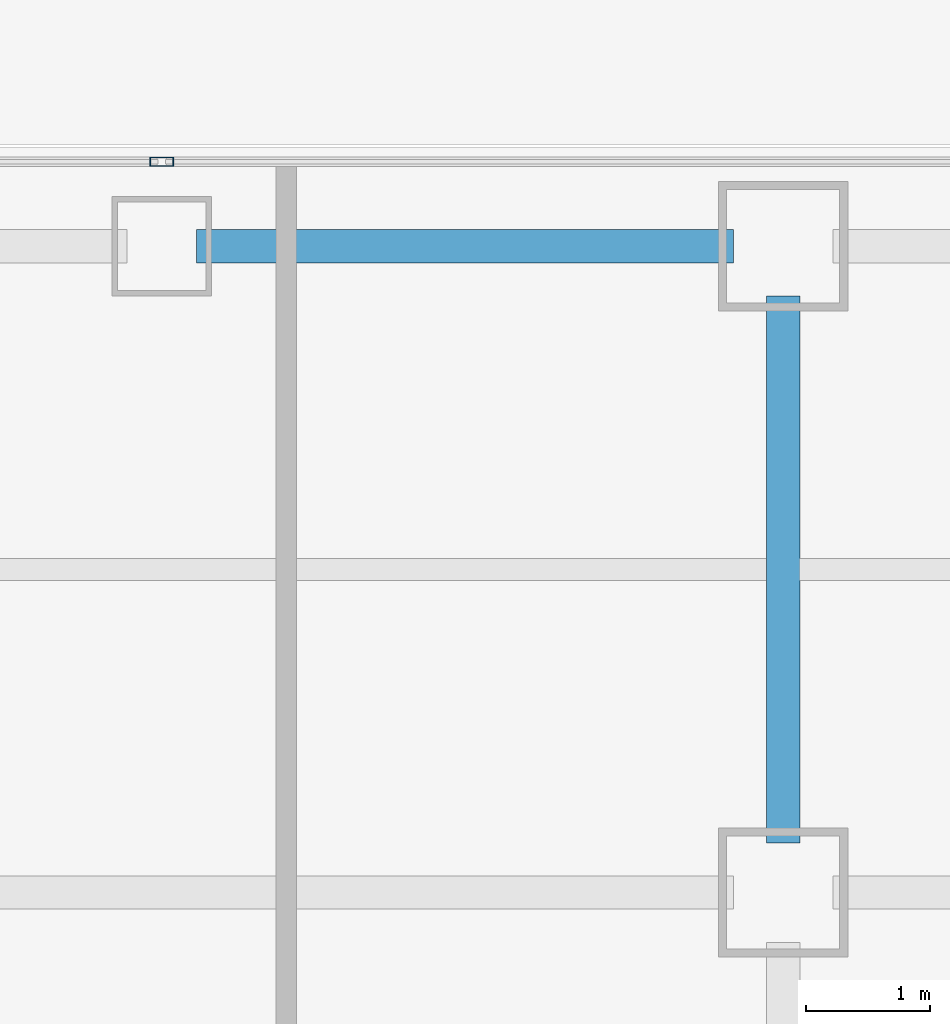
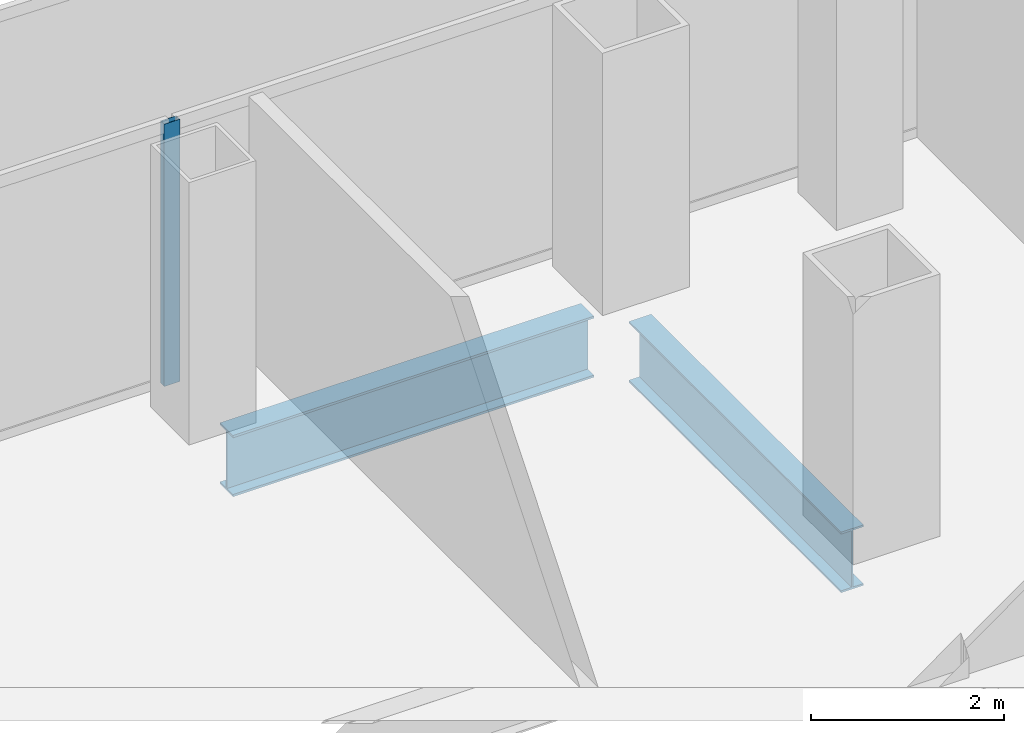
# One storey, part 13 of 22: 2 beams, 1 member, 1 element without a shape of its own.
"""IFC4 building model written with IfcOpenShell, lengths in metres."""

from ifc_helpers import new_model, si_unit, direction, frame, origin, origin_2d, place, context, subcontext, project, spatial, hollow_rectangle, i_section, extrude, source, transform, mapped, material, layer, layer_set, material_profile, profile_set, type_object, element, aggregate, save


model = new_model("IFC4")

# Units and contexts
model_context = context("Model", 3, precision=1e-05, world=origin(), true_north=direction((0.0, 1.0)))
body_context = subcontext(model_context, "Body", "Model", "MODEL_VIEW")
ifc_project = project(units=[si_unit("LENGTHUNIT", "METRE"), si_unit("AREAUNIT", "SQUARE_METRE"), si_unit("VOLUMEUNIT", "CUBIC_METRE"), si_unit("PLANEANGLEUNIT", "RADIAN"), si_unit("MASSUNIT", "GRAM", prefix="KILO")], contexts=[model_context])

# Site, building, storey
site_placement = place(None, origin())
site = spatial("IfcSite", under=ifc_project, at=site_placement, CompositionType="ELEMENT")
building_placement = place(site_placement, origin())
building = spatial("IfcBuilding", under=site, at=building_placement, Name="Kolveth Station Tower", CompositionType="ELEMENT")
storey_placement = place(building_placement, frame((0.0, 0.0, 65.699951171875)))
storey = spatial("IfcBuildingStorey", under=building, at=storey_placement, Name="L17", CompositionType="ELEMENT", Elevation=65.699951171875)

# Beams
ifc_material_1 = material(Name="Steel S355", Category="steel")
ifc_material_profile_1 = material_profile(ifc_material_1, i_section(OverallWidth=0.26904296875, OverallDepth=0.77490234375, WebThickness=0.01708984375, FlangeThickness=0.0283203125, at=origin_2d()), Name="W760x220")
ifc_profile_set_1 = profile_set([ifc_material_profile_1], Name="Steel S355")
beam_type_1 = type_object("IfcBeamType", Name="Beam_SP1", PredefinedType="SPANDREL", material=ifc_profile_set_1)
shared_shape_1 = source(origin(), body_context, "Body", "SweptSolid", [
    extrude(i_section(OverallWidth=0.26904296875, OverallDepth=0.77490234375, WebThickness=0.01708984375, FlangeThickness=0.0283203125, at=origin_2d()), origin(), (0.0, 0.0, 1.0), 4.320068359375),
])
beam_1_placement = place(storey_placement, frame((23.780029296875, 39.699951171875, -0.66748046875), z_axis=(1.0, 0.0, 0.0), x_axis=(0.0, 1.0, 0.0)))
element("IfcBeam", 1, at=beam_1_placement, inside=storey, type_object=beam_type_1, Name="L17 Perimeter Spandrel BM-L17-PN-6", PredefinedType="SPANDREL", context=body_context, shape_type="MappedRepresentation", body=[
    mapped(shared_shape_1, transform((0.0, 0.0, 0.0), x_axis=(1.0, 0.0, 0.0), y_axis=(0.0, 1.0, 0.0), z_axis=(0.0, 0.0, 1.0), scale=1.0)),
])
ifc_material_profile_2 = material_profile(ifc_material_1, i_section(OverallWidth=0.26708984375, OverallDepth=0.76611328125, WebThickness=0.014892578125, FlangeThickness=0.023681640625, at=origin_2d()), Name="W760x185")
ifc_profile_set_2 = profile_set([ifc_material_profile_2], Name="Steel S355")
beam_type_2 = type_object("IfcBeamType", Name="Beam_B3", PredefinedType="BEAM", material=ifc_profile_set_2)
shared_shape_2 = source(origin(), body_context, "Body", "SweptSolid", [
    extrude(i_section(OverallWidth=0.26708984375, OverallDepth=0.76611328125, WebThickness=0.014892578125, FlangeThickness=0.023681640625, at=origin_2d()), origin(), (0.0, 0.0, 1.0), 4.400146484375),
])
beam_2_placement = place(storey_placement, frame((28.5, 34.89990234375, -0.662841796875), z_axis=(0.0, 1.0, 0.0), x_axis=(-1.0, 0.0, 0.0)))
element("IfcBeam", 2, at=beam_2_placement, inside=storey, type_object=beam_type_2, Name="L17 Primary Girder BM-L17-GX285-7", PredefinedType="BEAM", context=body_context, shape_type="MappedRepresentation", body=[
    mapped(shared_shape_2, transform((0.0, 0.0, 0.0), x_axis=(1.0, 0.0, 0.0), y_axis=(0.0, 1.0, 0.0), z_axis=(0.0, 0.0, 1.0), scale=1.0)),
])

# Curtain wall, member
ifc_material_2 = material(Name="Aluminium 6063-T6 and low-E dark glass", Category="aluminium")
ifc_layer = layer(ifc_material_2, 0.179931640625)
ifc_layer_set = layer_set([ifc_layer], Name="Aluminium 6063-T6 and low-E dark glass")
curtain_wall_type = type_object("IfcCurtainWallType", Name="CurtainWall_CW-Z1", PredefinedType="NOTDEFINED", material=ifc_layer_set)
curtain_wall_placement = place(storey_placement, origin())
curtain_wall = element("IfcCurtainWall", 3, at=curtain_wall_placement, inside=storey, type_object=curtain_wall_type, Name="L17 Inner Thermal Curtain Wall 6", PredefinedType="NOTDEFINED")
ifc_material_3 = material(Name="Black anodized aluminium 6063-T6", Category="aluminium")
ifc_material_profile_3 = material_profile(ifc_material_3, hollow_rectangle(XDim=0.074951171875, YDim=0.18994140625, WallThickness=0.0048828125, at=origin_2d()), Name="ALU-75x190x5")
ifc_profile_set_3 = profile_set([ifc_material_profile_3], Name="Black anodized aluminium 6063-T6")
member_type = type_object("IfcMemberType", Name="Mullion_ML1", PredefinedType="MULLION", material=ifc_profile_set_3)
shared_shape_3 = source(origin(), body_context, "Body", "SweptSolid", [
    extrude(hollow_rectangle(XDim=0.074951171875, YDim=0.18994140625, WallThickness=0.0048828125, at=origin_2d()), origin(), (0.0, 0.0, 1.0), 3.320068359375),
])
member_placement = place(storey_placement, frame((23.5, 40.3798828125, 0.0), z_axis=(0.0, 0.0, 1.0), x_axis=(0.0, -1.0, 0.0)))
member = element("IfcMember", 4, at=member_placement, type_object=member_type, Name="CW-Z1 mullion 2", PredefinedType="MULLION", context=body_context, shape_type="MappedRepresentation", body=[
    mapped(shared_shape_3, transform((0.0, 0.0, 0.0), x_axis=(1.0, 0.0, 0.0), y_axis=(0.0, 1.0, 0.0), z_axis=(0.0, 0.0, 1.0), scale=1.0)),
])
aggregate(curtain_wall, [member])

save(model, "model.ifc")
